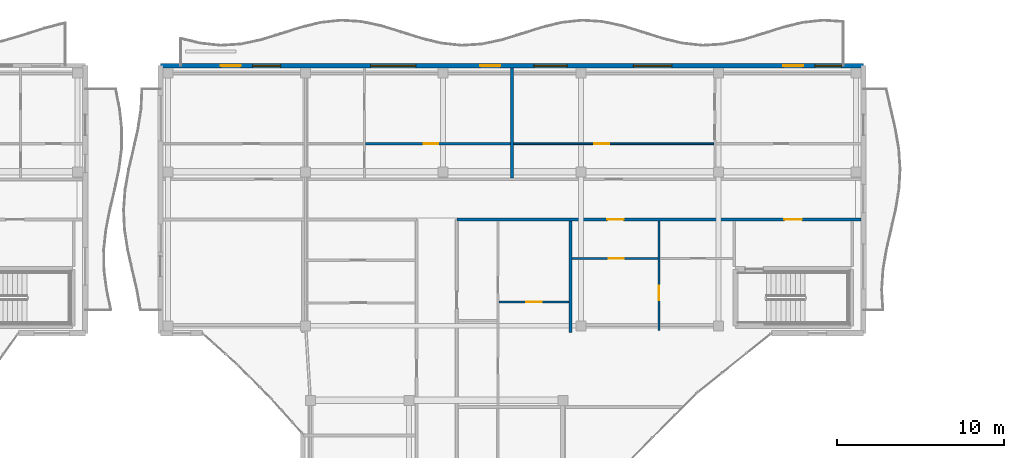
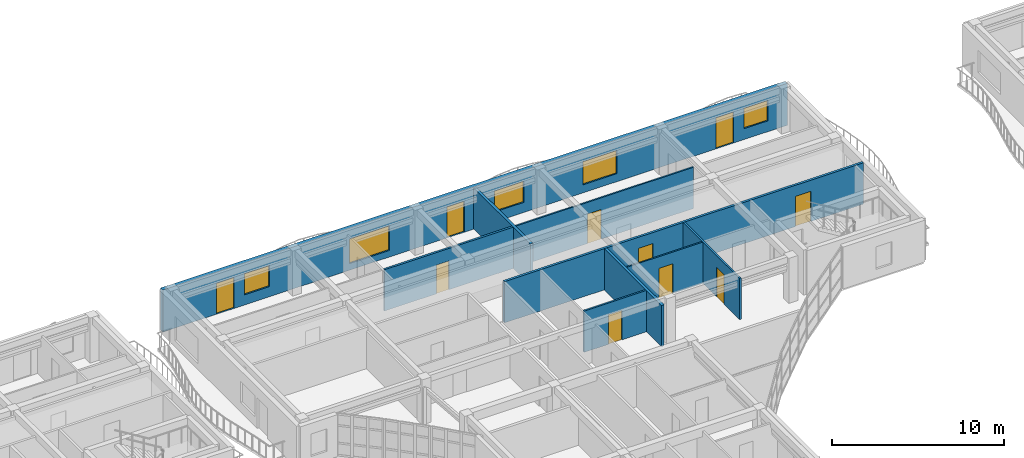
# One storey, part 36 of 72: 10 doors, 9 walls, 5 windows, 15 openings.
"""IFC4 building model written with IfcOpenShell, lengths in metres."""

from ifc_helpers import new_model, si_unit, direction, frame, frame_2d, origin, place, context, subcontext, project, spatial, rectangle, extrude, material, layer, layer_set, type_object, element, fill, save


model = new_model("IFC4")

# Units and contexts
model_context = context("Model", 3, precision=1e-05, world=origin(), true_north=direction((0.0, 1.0)))
body_context = subcontext(model_context, "Body", "Model", "MODEL_VIEW")
ifc_project = project(units=[si_unit("LENGTHUNIT", "METRE"), si_unit("AREAUNIT", "SQUARE_METRE"), si_unit("VOLUMEUNIT", "CUBIC_METRE"), si_unit("PLANEANGLEUNIT", "RADIAN"), si_unit("MASSUNIT", "GRAM", prefix="KILO")], contexts=[model_context])

# Site, building, storey
site_placement = place(None, origin())
site = spatial("IfcSite", under=ifc_project, at=site_placement, CompositionType="ELEMENT")
building_placement = place(site_placement, origin())
building = spatial("IfcBuilding", under=site, at=building_placement, Name="Keldmere Railside Commons", CompositionType="ELEMENT")
storey_placement = place(building_placement, frame((0.0, 0.0, 16.9599609375)))
storey = spatial("IfcBuildingStorey", under=building, at=storey_placement, Name="L05", CompositionType="ELEMENT", Elevation=16.9599609375)

# Walls
ifc_material_1 = material(Name="Acoustic Gypsum Board Partition", Category="gypsum")
ifc_layer_1 = layer(ifc_material_1, 0.179931640625, Name="Acoustic Demising Partition 180")
ifc_layer_set_1 = layer_set([ifc_layer_1], Name="Acoustic Gypsum Board Partition")
wall_type_1 = type_object("IfcWallType", Name="Acoustic Demising Partition 180", PredefinedType="PARTITIONING", material=ifc_layer_set_1)
wall_1_placement = place(storey_placement, frame((64.0, 100.050048828125, 0.0), z_axis=(0.0, 0.0, 1.0), x_axis=(0.0, 1.0, 0.0)))
element("IfcWall", 1, at=wall_1_placement, inside=storey, type_object=wall_type_1, Name="IW-1 IW-L05-0689", PredefinedType="PARTITIONING", context=body_context, shape_type="SweptSolid", body=[
    extrude(rectangle(XDim=6.669921875, YDim=0.179931640625, at=frame_2d((3.3349609375, 0.0))), origin(), (0.0, 0.0, 1.0), 2.93505859375),
])
wall_2_placement = place(storey_placement, frame((60.5, 109.280029296875, 0.0), z_axis=(0.0, 0.0, 1.0), x_axis=(0.0, 1.0, 0.0)))
element("IfcWall", 2, at=wall_2_placement, inside=storey, type_object=wall_type_1, Name="IW-1 IW-L05-0707", PredefinedType="PARTITIONING", context=body_context, shape_type="SweptSolid", body=[
    extrude(rectangle(XDim=6.590087890625, YDim=0.179931640625, at=frame_2d((3.294921875, 0.0))), origin(), (0.0, 0.0, 1.0), 2.93505859375),
])

# Wall, opening, door
ifc_layer_2 = layer(ifc_material_1, 0.1201171875, Name="Apartment Interior Partition 120")
ifc_layer_set_2 = layer_set([ifc_layer_2], Name="Acoustic Gypsum Board Partition")
wall_type_2 = type_object("IfcWallType", Name="Apartment Interior Partition 120", PredefinedType="PARTITIONING", material=ifc_layer_set_2)
wall_3_placement = place(storey_placement, frame((59.719970703125, 101.8701171875, 0.0), z_axis=(0.0, 0.0, 1.0), x_axis=(1.0, 0.0, 0.0)))
wall_3 = element("IfcWall", 3, at=wall_3_placement, inside=storey, type_object=wall_type_2, Name="IW-4 IW-L05-0706", PredefinedType="PARTITIONING", context=body_context, shape_type="SweptSolid", body=[
    extrude(rectangle(XDim=4.18994140625, YDim=0.1201171875, at=frame_2d((2.094970703125, 0.0))), origin(), (0.0, 0.0, 1.0), 2.93505859375),
])
opening_1_placement = place(wall_3_placement, frame((1.64501953125, 0.0, 0.0)))
opening_1 = element("IfcOpeningElement", 4, at=opening_1_placement, cuts=wall_3, Name="Opening ID-01", PredefinedType="OPENING", context=body_context, shape_type="SweptSolid", body=[
    extrude(rectangle(XDim=0.89990234375, YDim=2.10009765625, at=frame_2d((0.449951171875, 1.050048828125))), frame((0.0, 0.070068359375, 0.0), z_axis=(0.0, -1.0, 0.0), x_axis=(1.0, 0.0, 0.0)), (0.0, 0.0, 1.0), 0.14013671875),
])
ifc_material_2 = material(Name="Engineered Oak Timber", Category="wood")
door_type_1 = type_object("IfcDoorType", Name="Primary Bedroom Door 900x2100", OperationType="NOTDEFINED", PredefinedType="DOOR", material=ifc_material_2)
door_1_placement = place(opening_1_placement, origin())
door_1 = element("IfcDoor", 5, at=door_1_placement, inside=storey, type_object=door_type_1, Name="ID-01 IDR-L05-0592", OperationType="SINGLE_SWING_RIGHT", OverallHeight=2.10009765625, OverallWidth=0.89990234375, PredefinedType="DOOR", context=body_context, shape_type="SweptSolid", body=[
    extrude(rectangle(XDim=0.89990234375, YDim=2.10009765625, at=frame_2d((0.449951171875, 1.050048828125))), frame((0.0, 0.02490234375, 0.0), z_axis=(0.0, -1.0, 0.0), x_axis=(1.0, 0.0, 0.0)), (0.0, 0.0, 1.0), 0.050048828125),
])
fill(opening_1, door_1)

wall_4_placement = place(storey_placement, frame((69.280029296875, 100.159912109375, 0.0), z_axis=(0.0, 0.0, 1.0), x_axis=(0.0, 1.0, 0.0)))
wall_4 = element("IfcWall", 6, at=wall_4_placement, inside=storey, type_object=wall_type_2, Name="IW-4 IW-L05-0714", PredefinedType="PARTITIONING", context=body_context, shape_type="SweptSolid", body=[
    extrude(rectangle(XDim=6.56005859375, YDim=0.1201171875, at=frame_2d((3.280029296875, 0.0))), origin(), (0.0, 0.0, 1.0), 2.93505859375),
])
opening_2_placement = place(wall_4_placement, frame((1.810302734375, 0.0, 0.0)))
opening_2 = element("IfcOpeningElement", 7, at=opening_2_placement, cuts=wall_4, Name="Opening ID-02", PredefinedType="OPENING", context=body_context, shape_type="SweptSolid", body=[
    extrude(rectangle(XDim=0.8798828125, YDim=2.10009765625, at=frame_2d((0.43994140625, 1.050048828125))), frame((0.0, 0.070068359375, 0.0), z_axis=(0.0, -1.0, 0.0), x_axis=(1.0, 0.0, 0.0)), (0.0, 0.0, 1.0), 0.14013671875),
])
door_type_2 = type_object("IfcDoorType", Name="Secondary Bedroom Door 880x2100", OperationType="NOTDEFINED", PredefinedType="DOOR", material=ifc_material_2)
door_2_placement = place(opening_2_placement, origin())
door_2 = element("IfcDoor", 8, at=door_2_placement, inside=storey, type_object=door_type_2, Name="ID-02 IDR-L05-0605", OperationType="SINGLE_SWING_LEFT", OverallHeight=2.10009765625, OverallWidth=0.8798828125, PredefinedType="DOOR", context=body_context, shape_type="SweptSolid", body=[
    extrude(rectangle(XDim=0.8798828125, YDim=2.10009765625, at=frame_2d((0.43994140625, 1.050048828125))), frame((0.0, 0.02490234375, 0.0), z_axis=(0.0, -1.0, 0.0), x_axis=(1.0, 0.0, 0.0)), (0.0, 0.0, 1.0), 0.050048828125),
])
fill(opening_2, door_2)

ifc_layer_3 = layer(ifc_material_1, 0.10009765625, Name="Closet Light Partition 100")
ifc_layer_set_3 = layer_set([ifc_layer_3], Name="Acoustic Gypsum Board Partition")
wall_type_3 = type_object("IfcWallType", Name="Closet Light Partition 100", PredefinedType="PARTITIONING", material=ifc_layer_set_3)
wall_5_placement = place(storey_placement, frame((60.590087890625, 111.330078125, 0.0), z_axis=(0.0, 0.0, 1.0), x_axis=(1.0, 0.0, 0.0)))
wall_5 = element("IfcWall", 9, at=wall_5_placement, inside=storey, type_object=wall_type_3, Name="IW-6 IW-L05-0713", PredefinedType="PARTITIONING", context=body_context, shape_type="SweptSolid", body=[
    extrude(rectangle(XDim=11.969970703125, YDim=0.10009765625, at=frame_2d((5.98486328125, 0.0))), origin(), (0.0, 0.0, 1.0), 2.93505859375),
])
opening_3_placement = place(wall_5_placement, frame((4.81201171875, 0.0, 0.0)))
opening_3 = element("IfcOpeningElement", 10, at=opening_3_placement, cuts=wall_5, Name="Opening ID-03", PredefinedType="OPENING", context=body_context, shape_type="SweptSolid", body=[
    extrude(rectangle(XDim=0.919921875, YDim=2.10009765625, at=frame_2d((0.4599609375, 1.050048828125))), frame((0.0, 0.06005859375, 0.0), z_axis=(0.0, -1.0, 0.0), x_axis=(1.0, 0.0, 0.0)), (0.0, 0.0, 1.0), 0.1201171875),
])
door_type_3 = type_object("IfcDoorType", Name="Kitchen Pocket-Frame Swing Door 920x2100", OperationType="NOTDEFINED", PredefinedType="DOOR", material=ifc_material_2)
door_3_placement = place(opening_3_placement, origin())
door_3 = element("IfcDoor", 11, at=door_3_placement, inside=storey, type_object=door_type_3, Name="ID-03 IDR-L05-0599", OperationType="SINGLE_SWING_LEFT", OverallHeight=2.10009765625, OverallWidth=0.919921875, PredefinedType="DOOR", context=body_context, shape_type="SweptSolid", body=[
    extrude(rectangle(XDim=0.919921875, YDim=2.10009765625, at=frame_2d((0.4599609375, 1.050048828125))), frame((0.0, 0.02490234375, 0.0), z_axis=(0.0, -1.0, 0.0), x_axis=(1.0, 0.0, 0.0)), (0.0, 0.0, 1.0), 0.050048828125),
])
fill(opening_3, door_3)

wall_6_placement = place(storey_placement, frame((64.090087890625, 104.469970703125, 0.0), z_axis=(0.0, 0.0, 1.0), x_axis=(1.0, 0.0, 0.0)))
wall_6 = element("IfcWall", 12, at=wall_6_placement, inside=storey, type_object=wall_type_3, Name="IW-6 IW-L05-0716", PredefinedType="PARTITIONING", context=body_context, shape_type="SweptSolid", body=[
    extrude(rectangle(XDim=5.1298828125, YDim=0.10009765625, at=frame_2d((2.56494140625, 0.0))), origin(), (0.0, 0.0, 1.0), 2.93505859375),
])
opening_4_placement = place(wall_6_placement, frame((2.1796875, 0.0, 0.0)))
opening_4 = element("IfcOpeningElement", 13, at=opening_4_placement, cuts=wall_6, Name="Opening ID-03", PredefinedType="OPENING", context=body_context, shape_type="SweptSolid", body=[
    extrude(rectangle(XDim=0.919921875, YDim=2.10009765625, at=frame_2d((0.4599609375, 1.050048828125))), frame((0.0, 0.06005859375, 0.0), z_axis=(0.0, -1.0, 0.0), x_axis=(1.0, 0.0, 0.0)), (0.0, 0.0, 1.0), 0.1201171875),
])
door_4_placement = place(opening_4_placement, origin())
door_4 = element("IfcDoor", 14, at=door_4_placement, inside=storey, type_object=door_type_3, Name="ID-03 IDR-L05-0604", OperationType="SINGLE_SWING_RIGHT", OverallHeight=2.10009765625, OverallWidth=0.919921875, PredefinedType="DOOR", context=body_context, shape_type="SweptSolid", body=[
    extrude(rectangle(XDim=0.919921875, YDim=2.10009765625, at=frame_2d((0.4599609375, 1.050048828125))), frame((0.0, 0.02490234375, 0.0), z_axis=(0.0, -1.0, 0.0), x_axis=(1.0, 0.0, 0.0)), (0.0, 0.0, 1.0), 0.050048828125),
])
fill(opening_4, door_4)

# Wall, openings, doors
ifc_layer_4 = layer(ifc_material_1, 0.159912109375, Name="Corridor Fire Partition 160")
ifc_layer_set_4 = layer_set([ifc_layer_4], Name="Acoustic Gypsum Board Partition")
wall_type_4 = type_object("IfcWallType", Name="Corridor Fire Partition 160", PredefinedType="PARTITIONING", material=ifc_layer_set_4)
wall_7_placement = place(storey_placement, frame((57.199951171875, 106.800048828125, 0.0), z_axis=(0.0, 0.0, 1.0), x_axis=(1.0, 0.0, 0.0)))
wall_7 = element("IfcWall", 15, at=wall_7_placement, inside=storey, type_object=wall_type_4, Name="IW-2 IW-L05-0687", PredefinedType="PARTITIONING", context=body_context, shape_type="SweptSolid", body=[
    extrude(rectangle(XDim=24.14013671875, YDim=0.159912109375, at=frame_2d((12.070068359375, 0.0))), origin(), (0.0, 0.0, 1.0), 2.93505859375),
])
opening_5_placement = place(wall_7_placement, frame((19.574951171875, 0.0, 0.0)))
opening_5 = element("IfcOpeningElement", 16, at=opening_5_placement, cuts=wall_7, Name="Opening FD-1", PredefinedType="OPENING", context=body_context, shape_type="SweptSolid", body=[
    extrude(rectangle(XDim=1.050048828125, YDim=2.14990234375, at=frame_2d((0.52490234375, 1.074951171875))), frame((0.0, 0.08984375, 0.0), z_axis=(0.0, -1.0, 0.0), x_axis=(1.0, 0.0, 0.0)), (0.0, 0.0, 1.0), 0.179931640625),
])
opening_6_placement = place(wall_7_placement, frame((8.9951171875, 0.0, 0.0)))
opening_6 = element("IfcOpeningElement", 17, at=opening_6_placement, cuts=wall_7, Name="Opening FD-7", PredefinedType="OPENING", context=body_context, shape_type="SweptSolid", body=[
    extrude(rectangle(XDim=0.97998046875, YDim=2.14990234375, at=frame_2d((0.489990234375, 1.074951171875))), frame((0.0, 0.08984375, 0.0), z_axis=(0.0, -1.0, 0.0), x_axis=(1.0, 0.0, 0.0)), (0.0, 0.0, 1.0), 0.179931640625),
])
door_type_4 = type_object("IfcDoorType", Name="Apartment Entrance Acoustic Fire Door 980x2150", OperationType="NOTDEFINED", PredefinedType="DOOR", material=ifc_material_2)
door_5_placement = place(opening_6_placement, origin())
door_5 = element("IfcDoor", 18, at=door_5_placement, inside=storey, type_object=door_type_4, Name="FD-7 IDR-L05-0603", OperationType="SINGLE_SWING_LEFT", OverallHeight=2.14990234375, OverallWidth=0.97998046875, PredefinedType="DOOR", context=body_context, shape_type="SweptSolid", body=[
    extrude(rectangle(XDim=0.97998046875, YDim=2.14990234375, at=frame_2d((0.489990234375, 1.074951171875))), frame((0.0, 0.02490234375, 0.0), z_axis=(0.0, -1.0, 0.0), x_axis=(1.0, 0.0, 0.0)), (0.0, 0.0, 1.0), 0.050048828125),
])
fill(opening_6, door_5)
ifc_material_3 = material(Name="Steel F-24 (S235)", Category="steel")
door_type_5 = type_object("IfcDoorType", Name="Stair Core Fire Door 1050x2150", OperationType="NOTDEFINED", PredefinedType="DOOR", material=ifc_material_3)
door_6_placement = place(opening_5_placement, origin())
door_6 = element("IfcDoor", 19, at=door_6_placement, inside=storey, type_object=door_type_5, Name="FD-1 IDR-L05-0575", OperationType="SINGLE_SWING_LEFT", OverallHeight=2.14990234375, OverallWidth=1.050048828125, PredefinedType="DOOR", context=body_context, shape_type="SweptSolid", body=[
    extrude(rectangle(XDim=1.050048828125, YDim=2.14990234375, at=frame_2d((0.52490234375, 1.074951171875))), frame((0.0, 0.02490234375, 0.0), z_axis=(0.0, -1.0, 0.0), x_axis=(1.0, 0.0, 0.0)), (0.0, 0.0, 1.0), 0.050048828125),
])
fill(opening_5, door_6)

# Wall, openings, doors, windows
ifc_material_4 = material(Name="Terracotta Brick Masonry", Category="masonry")
ifc_layer_5 = layer(ifc_material_4, 0.260009765625, Name="Terracotta Cavity Wall 260")
ifc_layer_set_5 = layer_set([ifc_layer_5], Name="Terracotta Brick Masonry")
wall_type_5 = type_object("IfcWallType", Name="Terracotta Cavity Wall 260", PredefinedType="SOLIDWALL", material=ifc_layer_set_5)
wall_8_placement = place(storey_placement, frame((39.5, 116.0, 0.0), z_axis=(0.0, 0.0, 1.0), x_axis=(1.0, 0.0, 0.0)))
wall_8 = element("IfcWall", 20, at=wall_8_placement, inside=storey, type_object=wall_type_5, Name="EW-1 EXTC-L05-0366", PredefinedType="SOLIDWALL", context=body_context, shape_type="SweptSolid", body=[
    extrude(rectangle(XDim=42.0, YDim=0.260009765625, at=frame_2d((21.0, 0.0))), origin(), (0.0, 0.0, 1.0), 2.97998046875),
])
opening_7_placement = place(wall_8_placement, frame((3.60009765625, 0.0, 0.0)))
opening_7 = element("IfcOpeningElement", 21, at=opening_7_placement, cuts=wall_8, Name="Opening BD-01", PredefinedType="OPENING", context=body_context, shape_type="SweptSolid", body=[
    extrude(rectangle(XDim=1.199951171875, YDim=2.199951171875, at=frame_2d((0.60009765625, 1.10009765625))), frame((0.0, 0.139892578125, 0.0), z_axis=(0.0, -1.0, 0.0), x_axis=(1.0, 0.0, 0.0)), (0.0, 0.0, 1.0), 0.280029296875),
])
opening_8_placement = place(wall_8_placement, frame((5.5, 0.0, 0.719970703125)))
opening_8 = element("IfcOpeningElement", 22, at=opening_8_placement, cuts=wall_8, Name="Opening WN-40", PredefinedType="OPENING", context=body_context, shape_type="SweptSolid", body=[
    extrude(rectangle(XDim=1.679931640625, YDim=1.5, at=frame_2d((0.83984375, 0.75))), frame((0.0, 0.139892578125, 0.0), z_axis=(0.0, -1.0, 0.0), x_axis=(1.0, 0.0, 0.0)), (0.0, 0.0, 1.0), 0.280029296875),
])
opening_9_placement = place(wall_8_placement, frame((12.550048828125, 0.0, 0.469970703125)))
opening_9 = element("IfcOpeningElement", 23, at=opening_9_placement, cuts=wall_8, Name="Opening WN-19", PredefinedType="OPENING", context=body_context, shape_type="SweptSolid", body=[
    extrude(rectangle(XDim=2.699951171875, YDim=1.75, at=frame_2d((1.35009765625, 0.875))), frame((0.0, 0.139892578125, 0.0), z_axis=(0.0, -1.0, 0.0), x_axis=(1.0, 0.0, 0.0)), (0.0, 0.0, 1.0), 0.280029296875),
])
opening_10_placement = place(wall_8_placement, frame((19.10009765625, 0.0, 0.0)))
opening_10 = element("IfcOpeningElement", 24, at=opening_10_placement, cuts=wall_8, Name="Opening BD-01", PredefinedType="OPENING", context=body_context, shape_type="SweptSolid", body=[
    extrude(rectangle(XDim=1.199951171875, YDim=2.199951171875, at=frame_2d((0.60009765625, 1.10009765625))), frame((0.0, 0.139892578125, 0.0), z_axis=(0.0, -1.0, 0.0), x_axis=(1.0, 0.0, 0.0)), (0.0, 0.0, 1.0), 0.280029296875),
])
opening_11_placement = place(wall_8_placement, frame((22.300048828125, 0.0, 0.719970703125)))
opening_11 = element("IfcOpeningElement", 25, at=opening_11_placement, cuts=wall_8, Name="Opening WN-02", PredefinedType="OPENING", context=body_context, shape_type="SweptSolid", body=[
    extrude(rectangle(XDim=2.0, YDim=1.5, at=frame_2d((1.0, 0.75))), frame((0.0, 0.139892578125, 0.0), z_axis=(0.0, -1.0, 0.0), x_axis=(1.0, 0.0, 0.0)), (0.0, 0.0, 1.0), 0.280029296875),
])
opening_12_placement = place(wall_8_placement, frame((28.25, 0.0, 0.570068359375)))
opening_12 = element("IfcOpeningElement", 26, at=opening_12_placement, cuts=wall_8, Name="Opening WN-23", PredefinedType="OPENING", context=body_context, shape_type="SweptSolid", body=[
    extrude(rectangle(XDim=2.300048828125, YDim=1.64990234375, at=frame_2d((1.14990234375, 0.824951171875))), frame((0.0, 0.139892578125, 0.0), z_axis=(0.0, -1.0, 0.0), x_axis=(1.0, 0.0, 0.0)), (0.0, 0.0, 1.0), 0.280029296875),
])
opening_13_placement = place(wall_8_placement, frame((37.199951171875, 0.0, 0.0)))
opening_13 = element("IfcOpeningElement", 27, at=opening_13_placement, cuts=wall_8, Name="Opening BD-01", PredefinedType="OPENING", context=body_context, shape_type="SweptSolid", body=[
    extrude(rectangle(XDim=1.199951171875, YDim=2.199951171875, at=frame_2d((0.60009765625, 1.10009765625))), frame((0.0, 0.139892578125, 0.0), z_axis=(0.0, -1.0, 0.0), x_axis=(1.0, 0.0, 0.0)), (0.0, 0.0, 1.0), 0.280029296875),
])
opening_14_placement = place(wall_8_placement, frame((39.10009765625, 0.0, 0.77001953125)))
opening_14 = element("IfcOpeningElement", 28, at=opening_14_placement, cuts=wall_8, Name="Opening WN-04", PredefinedType="OPENING", context=body_context, shape_type="SweptSolid", body=[
    extrude(rectangle(XDim=1.60009765625, YDim=1.449951171875, at=frame_2d((0.800048828125, 0.72509765625))), frame((0.0, 0.139892578125, 0.0), z_axis=(0.0, -1.0, 0.0), x_axis=(1.0, 0.0, 0.0)), (0.0, 0.0, 1.0), 0.280029296875),
])
ifc_material_5 = material(Name="Thermally Broken Aluminium", Category="aluminium")
door_type_6 = type_object("IfcDoorType", Name="Apartment Living Wave-Balcony Glazed Door 1200x2200", OperationType="NOTDEFINED", PredefinedType="DOOR", material=ifc_material_5)
door_7_placement = place(opening_7_placement, origin())
door_7 = element("IfcDoor", 29, at=door_7_placement, inside=storey, type_object=door_type_6, Name="BD-01 DR-L05-0088", OperationType="SINGLE_SWING_RIGHT", OverallHeight=2.199951171875, OverallWidth=1.199951171875, PredefinedType="DOOR", context=body_context, shape_type="SweptSolid", body=[
    extrude(rectangle(XDim=1.199951171875, YDim=2.199951171875, at=frame_2d((0.60009765625, 1.10009765625))), frame((0.0, 0.02490234375, 0.0), z_axis=(0.0, -1.0, 0.0), x_axis=(1.0, 0.0, 0.0)), (0.0, 0.0, 1.0), 0.050048828125),
])
fill(opening_7, door_7)
door_8_placement = place(opening_10_placement, origin())
door_8 = element("IfcDoor", 30, at=door_8_placement, inside=storey, type_object=door_type_6, Name="BD-01 DR-L05-0089", OperationType="SINGLE_SWING_LEFT", OverallHeight=2.199951171875, OverallWidth=1.199951171875, PredefinedType="DOOR", context=body_context, shape_type="SweptSolid", body=[
    extrude(rectangle(XDim=1.199951171875, YDim=2.199951171875, at=frame_2d((0.60009765625, 1.10009765625))), frame((0.0, 0.02490234375, 0.0), z_axis=(0.0, -1.0, 0.0), x_axis=(1.0, 0.0, 0.0)), (0.0, 0.0, 1.0), 0.050048828125),
])
fill(opening_10, door_8)
door_9_placement = place(opening_13_placement, origin())
door_9 = element("IfcDoor", 31, at=door_9_placement, inside=storey, type_object=door_type_6, Name="BD-01 DR-L05-0090", OperationType="SINGLE_SWING_RIGHT", OverallHeight=2.199951171875, OverallWidth=1.199951171875, PredefinedType="DOOR", context=body_context, shape_type="SweptSolid", body=[
    extrude(rectangle(XDim=1.199951171875, YDim=2.199951171875, at=frame_2d((0.60009765625, 1.10009765625))), frame((0.0, 0.02490234375, 0.0), z_axis=(0.0, -1.0, 0.0), x_axis=(1.0, 0.0, 0.0)), (0.0, 0.0, 1.0), 0.050048828125),
])
fill(opening_13, door_9)
ifc_material_6 = material(Name="Low-E Insulated Double Glazing", Category="glass")
window_type_1 = type_object("IfcWindowType", Name="Living Room South Casement Window 2000x1500", PartitioningType="SINGLE_PANEL", PredefinedType="WINDOW", material=ifc_material_6)
window_1_placement = place(opening_11_placement, origin())
window_1 = element("IfcWindow", 32, at=window_1_placement, inside=storey, type_object=window_type_1, Name="WN-02 WIN-L05-0259", OverallHeight=1.5, OverallWidth=2.0, PartitioningType="SINGLE_PANEL", PredefinedType="WINDOW", context=body_context, shape_type="SweptSolid", body=[
    extrude(rectangle(XDim=2.0, YDim=1.5, at=frame_2d((1.0, 0.75))), frame((0.0, 0.030029296875, 0.0), z_axis=(0.0, -1.0, 0.0), x_axis=(1.0, 0.0, 0.0)), (0.0, 0.0, 1.0), 0.06005859375),
])
fill(opening_11, window_1)
window_type_2 = type_object("IfcWindowType", Name="Living Room West Shaded Window 1600x1450", PartitioningType="SINGLE_PANEL", PredefinedType="WINDOW", material=ifc_material_6)
window_2_placement = place(opening_14_placement, origin())
window_2 = element("IfcWindow", 33, at=window_2_placement, inside=storey, type_object=window_type_2, Name="WN-04 WIN-L05-0261", OverallHeight=1.449951171875, OverallWidth=1.60009765625, PartitioningType="SINGLE_PANEL", PredefinedType="WINDOW", context=body_context, shape_type="SweptSolid", body=[
    extrude(rectangle(XDim=1.60009765625, YDim=1.449951171875, at=frame_2d((0.800048828125, 0.72509765625))), frame((0.0, 0.030029296875, 0.0), z_axis=(0.0, -1.0, 0.0), x_axis=(1.0, 0.0, 0.0)), (0.0, 0.0, 1.0), 0.06005859375),
])
fill(opening_14, window_2)
window_type_3 = type_object("IfcWindowType", Name="Resident Lounge Panorama Window 2700x1750", PartitioningType="SINGLE_PANEL", PredefinedType="WINDOW", material=ifc_material_6)
window_3_placement = place(opening_9_placement, origin())
window_3 = element("IfcWindow", 34, at=window_3_placement, inside=storey, type_object=window_type_3, Name="WN-19 WIN-L05-0258", OverallHeight=1.75, OverallWidth=2.699951171875, PartitioningType="SINGLE_PANEL", PredefinedType="WINDOW", context=body_context, shape_type="SweptSolid", body=[
    extrude(rectangle(XDim=2.699951171875, YDim=1.75, at=frame_2d((1.35009765625, 0.875))), frame((0.0, 0.030029296875, 0.0), z_axis=(0.0, -1.0, 0.0), x_axis=(1.0, 0.0, 0.0)), (0.0, 0.0, 1.0), 0.06005859375),
])
fill(opening_9, window_3)
window_type_4 = type_object("IfcWindowType", Name="Setback Terrace Penthouse Window 2300x1650", PartitioningType="SINGLE_PANEL", PredefinedType="WINDOW", material=ifc_material_6)
window_4_placement = place(opening_12_placement, origin())
window_4 = element("IfcWindow", 35, at=window_4_placement, inside=storey, type_object=window_type_4, Name="WN-23 WIN-L05-0260", OverallHeight=1.64990234375, OverallWidth=2.300048828125, PartitioningType="SINGLE_PANEL", PredefinedType="WINDOW", context=body_context, shape_type="SweptSolid", body=[
    extrude(rectangle(XDim=2.300048828125, YDim=1.64990234375, at=frame_2d((1.14990234375, 0.824951171875))), frame((0.0, 0.030029296875, 0.0), z_axis=(0.0, -1.0, 0.0), x_axis=(1.0, 0.0, 0.0)), (0.0, 0.0, 1.0), 0.06005859375),
])
fill(opening_12, window_4)
window_type_5 = type_object("IfcWindowType", Name="Two-Bed Dining Casement Window 1680x1500", PartitioningType="SINGLE_PANEL", PredefinedType="WINDOW", material=ifc_material_6)
window_5_placement = place(opening_8_placement, origin())
window_5 = element("IfcWindow", 36, at=window_5_placement, inside=storey, type_object=window_type_5, Name="WN-40 WIN-L05-0257", OverallHeight=1.5, OverallWidth=1.679931640625, PartitioningType="SINGLE_PANEL", PredefinedType="WINDOW", context=body_context, shape_type="SweptSolid", body=[
    extrude(rectangle(XDim=1.679931640625, YDim=1.5, at=frame_2d((0.83984375, 0.75))), frame((0.0, 0.030029296875, 0.0), z_axis=(0.0, -1.0, 0.0), x_axis=(1.0, 0.0, 0.0)), (0.0, 0.0, 1.0), 0.06005859375),
])
fill(opening_8, window_5)

# Wall, opening, door
ifc_layer_6 = layer(ifc_material_1, 0.139892578125, Name="Wet-Room Sanitary Partition 140")
ifc_layer_set_6 = layer_set([ifc_layer_6], Name="Acoustic Gypsum Board Partition")
wall_type_6 = type_object("IfcWallType", Name="Wet-Room Sanitary Partition 140", PredefinedType="PARTITIONING", material=ifc_layer_set_6)
wall_9_placement = place(storey_placement, frame((51.75, 111.330078125, 0.0), z_axis=(0.0, 0.0, 1.0), x_axis=(1.0, 0.0, 0.0)))
wall_9 = element("IfcWall", 37, at=wall_9_placement, inside=storey, type_object=wall_type_6, Name="IW-5 IW-L05-0709", PredefinedType="PARTITIONING", context=body_context, shape_type="SweptSolid", body=[
    extrude(rectangle(XDim=8.659912109375, YDim=0.139892578125, at=frame_2d((4.330078125, 0.0))), origin(), (0.0, 0.0, 1.0), 2.93505859375),
])
opening_15_placement = place(wall_9_placement, frame((3.488037109375, 0.0, 0.0)))
opening_15 = element("IfcOpeningElement", 38, at=opening_15_placement, cuts=wall_9, Name="Opening ID-06", PredefinedType="OPENING", context=body_context, shape_type="SweptSolid", body=[
    extrude(rectangle(XDim=0.85009765625, YDim=2.050048828125, at=frame_2d((0.425048828125, 1.02490234375))), frame((0.0, 0.079833984375, 0.0), z_axis=(0.0, -1.0, 0.0), x_axis=(1.0, 0.0, 0.0)), (0.0, 0.0, 1.0), 0.159912109375),
])
door_type_7 = type_object("IfcDoorType", Name="Storage Closet Door 850x2050", OperationType="NOTDEFINED", PredefinedType="DOOR", material=ifc_material_2)
door_10_placement = place(opening_15_placement, origin())
door_10 = element("IfcDoor", 39, at=door_10_placement, inside=storey, type_object=door_type_7, Name="ID-06 IDR-L05-0597", OperationType="SINGLE_SWING_LEFT", OverallHeight=2.050048828125, OverallWidth=0.85009765625, PredefinedType="DOOR", context=body_context, shape_type="SweptSolid", body=[
    extrude(rectangle(XDim=0.85009765625, YDim=2.050048828125, at=frame_2d((0.425048828125, 1.02490234375))), frame((0.0, 0.02490234375, 0.0), z_axis=(0.0, -1.0, 0.0), x_axis=(1.0, 0.0, 0.0)), (0.0, 0.0, 1.0), 0.050048828125),
])
fill(opening_15, door_10)

save(model, "model.ifc")
